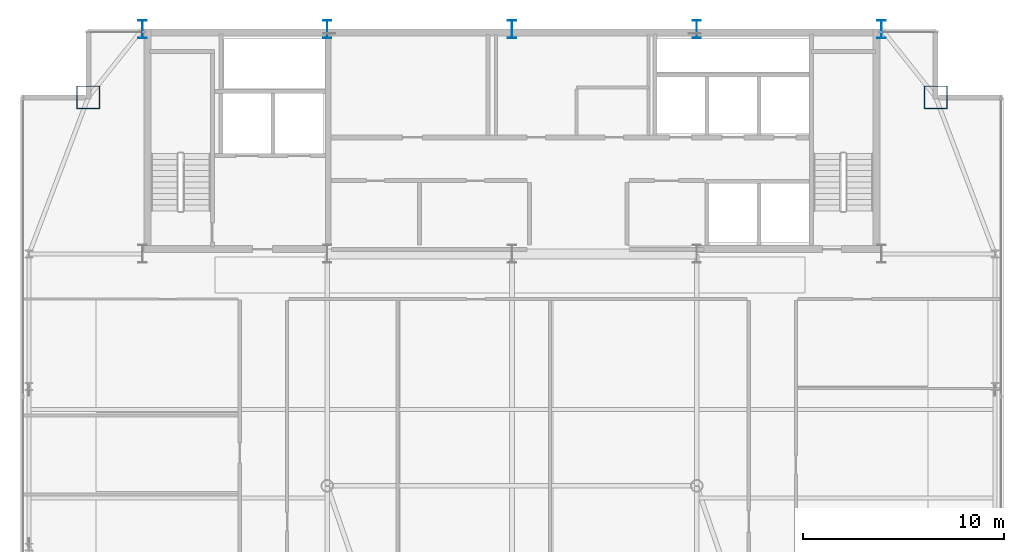
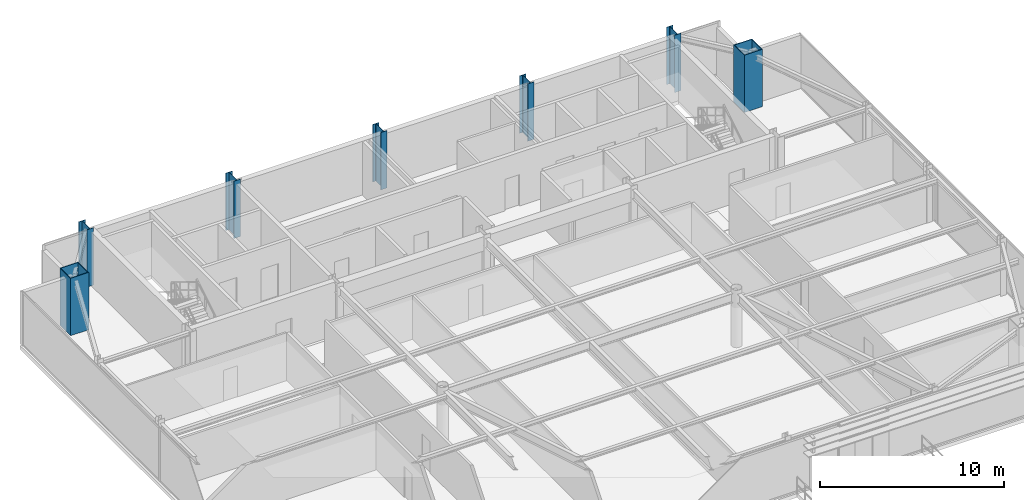
# One storey, part 3 of 30: 7 columns.
"""IFC4 building model written with IfcOpenShell, lengths in metres."""

from ifc_helpers import new_model, si_unit, direction, frame, origin, origin_2d, place, context, subcontext, project, spatial, hollow_rectangle, i_section, extrude, source, transform, mapped, material, material_profile, profile_set, type_object, type_shapes, element, save


model = new_model("IFC4")

# Units and contexts
model_context = context("Model", 3, precision=1e-05, world=origin(), true_north=direction((0.0, 1.0)))
body_context = subcontext(model_context, "Body", "Model", "MODEL_VIEW")
ifc_project = project(units=[si_unit("LENGTHUNIT", "METRE"), si_unit("AREAUNIT", "SQUARE_METRE"), si_unit("VOLUMEUNIT", "CUBIC_METRE"), si_unit("PLANEANGLEUNIT", "RADIAN"), si_unit("MASSUNIT", "GRAM", prefix="KILO")], contexts=[model_context])

# Site, building, storey
site_placement = place(None, origin())
site = spatial("IfcSite", under=ifc_project, at=site_placement, CompositionType="ELEMENT")
building_placement = place(site_placement, origin())
building = spatial("IfcBuilding", under=site, at=building_placement, Name="Varnel Quay Broadcast Tower", CompositionType="ELEMENT")
storey_placement = place(building_placement, frame((0.0, 0.0, 211.199951171875)))
storey = spatial("IfcBuildingStorey", under=building, at=storey_placement, Name="L52", CompositionType="ELEMENT", Elevation=211.199951171875)

# Columns
ifc_material = material(Name="Structural Steel CSA G40.21 350WT", Category="steel")
ifc_material_profile_1 = material_profile(ifc_material, i_section(OverallWidth=0.39990234375, OverallDepth=0.89990234375, WebThickness=0.01611328125, FlangeThickness=0.028076171875, FilletRadius=0.01611328125, at=origin_2d()), Name="WWF900X309")
ifc_profile_set_1 = profile_set([ifc_material_profile_1], Name="Structural Steel CSA G40.21 350WT")
column_type_1 = type_object("IfcColumnType", Name="Col_WWF900X309", PredefinedType="COLUMN", material=ifc_profile_set_1)
shared_shape_1 = source(origin(), body_context, "Body", "SweptSolid", [
    extrude(i_section(OverallWidth=0.39990234375, OverallDepth=0.89990234375, WebThickness=0.01611328125, FlangeThickness=0.028076171875, FilletRadius=0.01611328125, at=origin_2d()), origin(), (0.0, 0.0, 1.0), 3.800048828125),
])
type_shapes(column_type_1, [shared_shape_1])
for number, where, z_axis, x_axis, name in (
    (1, (15.60009765625, 46.800048828125, 0.0), (0.0, 0.0, 1.0), (1.0, 0.0, 0.0), "L52 Column CC-N1"),
    (2, (24.800048828125, 46.800048828125, 0.0), (0.0, 0.0, 1.0), (1.0, 0.0, 0.0), "L52 Column CC-N2"),
    (3, (34.0, 46.800048828125, 0.0), (0.0, 0.0, 1.0), (1.0, 0.0, 0.0), "L52 Column CC-N3"),
    (4, (43.199951171875, 46.800048828125, 0.0), (0.0, 0.0, 1.0), (1.0, 0.0, 0.0), "L52 Column CC-N4"),
    (5, (52.39990234375, 46.800048828125, 0.0), (0.0, 0.0, 1.0), (1.0, 0.0, 0.0), "L52 Column CC-N5"),
):
    element("IfcColumn", number, at=place(storey_placement, frame(where, z_axis=z_axis, x_axis=x_axis)), inside=storey, type_object=column_type_1, Name=name, PredefinedType="COLUMN", context=body_context, shape_type="MappedRepresentation", body=[
        mapped(shared_shape_1, transform((0.0, 0.0, 0.0), x_axis=(1.0, 0.0, 0.0), y_axis=(0.0, 1.0, 0.0), z_axis=(0.0, 0.0, 1.0), scale=1.0)),
    ])
ifc_material_profile_2 = material_profile(ifc_material, hollow_rectangle(XDim=1.14990234375, YDim=1.14990234375, WallThickness=0.044921875, at=origin_2d()), Name="BOX1150X1150X45")
ifc_profile_set_2 = profile_set([ifc_material_profile_2], Name="Structural Steel CSA G40.21 350WT")
column_type_2 = type_object("IfcColumnType", Name="Col_BOX1150X1150X45", PredefinedType="COLUMN", material=ifc_profile_set_2)
shared_shape_2 = source(origin(), body_context, "Body", "SweptSolid", [
    extrude(hollow_rectangle(XDim=1.14990234375, YDim=1.14990234375, WallThickness=0.044921875, at=origin_2d()), origin(), (0.0, 0.0, 1.0), 3.800048828125),
])
type_shapes(column_type_2, [shared_shape_2])
for number, where, z_axis, x_axis, name in (
    (6, (55.10009765625, 43.39990234375, 0.0), (0.0, 0.0, 1.0), (1.0, 0.0, 0.0), "L52 Column MC-NE"),
    (7, (12.89990234375, 43.39990234375, 0.0), (0.0, 0.0, 1.0), (1.0, 0.0, 0.0), "L52 Column MC-NW"),
):
    element("IfcColumn", number, at=place(storey_placement, frame(where, z_axis=z_axis, x_axis=x_axis)), inside=storey, type_object=column_type_2, Name=name, PredefinedType="COLUMN", context=body_context, shape_type="MappedRepresentation", body=[
        mapped(shared_shape_2, transform((0.0, 0.0, 0.0), x_axis=(1.0, 0.0, 0.0), y_axis=(0.0, 1.0, 0.0), z_axis=(0.0, 0.0, 1.0), scale=1.0)),
    ])

save(model, "model.ifc")
